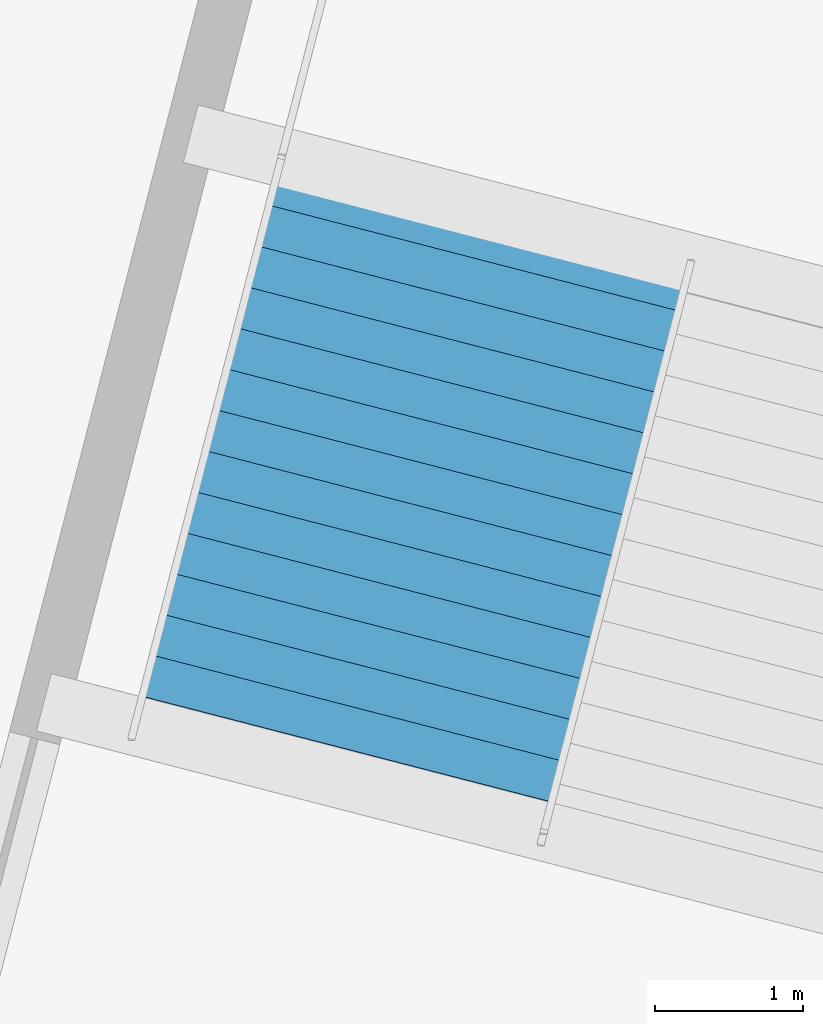
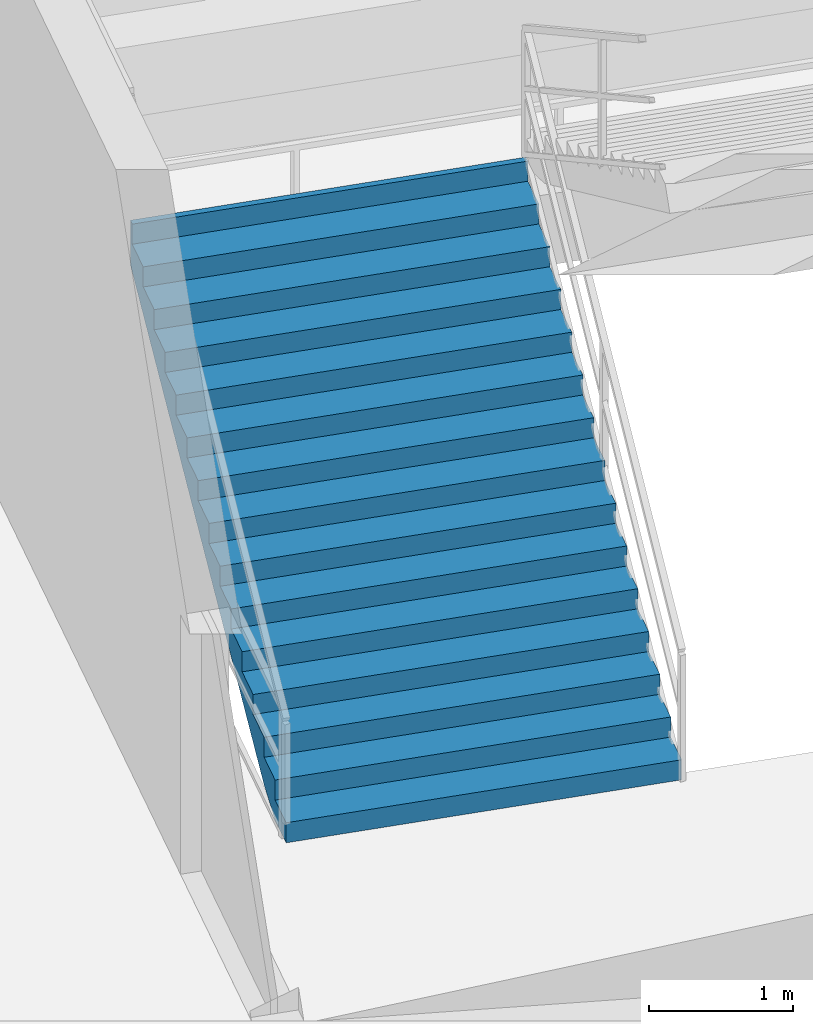
# One storey, part 163 of 184: 1 stair flight, 1 element without a shape of its own.
"""IFC4 building model written with IfcOpenShell, lengths in metres."""

import ifcopenshell
import ifcopenshell.guid

model = None  # the IFC model being written
_history = None  # IfcOwnerHistory: only IFC2X3 demands one
_inside = {}  # id of a spatial element -> (the spatial element, [elements in it])
_under = {}  # id of a project, library or spatial element -> (it, [spatial elements below it])
_declared = {}  # id of a project -> (the project, [libraries it declares])
_typed = {}  # id of a type object -> (the type object, [elements of that type])
_made_of = {}  # id of a material, layer set ... -> (it, [elements and type objects made of it])


def new_model(schema):
    """Start an empty IFC model of exactly this schema.

    Asked for "IFC4X3", IfcOpenShell would pick the latest addendum, in which some entities
    have other attributes; the version numbers below select the first issue.
    IFC2X3 requires an IfcOwnerHistory on every rooted entity: one is made here for all.
    """
    global model, _history
    if schema == "IFC4X3":
        model = ifcopenshell.file(schema_version=(4, 3, 0, 0))
    else:
        model = ifcopenshell.file(schema=schema)
    _inside.clear()
    _under.clear()
    _declared.clear()
    _typed.clear()
    _made_of.clear()
    _history = None
    if model.schema == "IFC2X3":
        org = make("IfcOrganization", Name="unknown")
        user = make(
            "IfcPersonAndOrganization",
            ThePerson=make("IfcPerson", FamilyName="unknown"),
            TheOrganization=org,
        )
        app = make(
            "IfcApplication",
            ApplicationDeveloper=org,
            Version="unknown",
            ApplicationFullName="unknown",
            ApplicationIdentifier="unknown",
        )
        _history = make(
            "IfcOwnerHistory",
            OwningUser=user,
            OwningApplication=app,
            ChangeAction="ADDED",
            CreationDate=0,
        )
    return model


def make(cls, **values):
    """One entity of the class cls with the attributes given. An attribute that is None is left unset."""
    return model.create_entity(
        cls, **{name: value for name, value in values.items() if value is not None}
    )


def rooted(cls, **values):
    """An entity with a GlobalId (a new one), such as an element, a storey or a relation."""
    return make(cls, GlobalId=ifcopenshell.guid.new(), OwnerHistory=_history, **values)


def si_unit(unit_type, name, prefix=None):
    """IfcSIUnit, for example si_unit("LENGTHUNIT", "METRE", prefix="MILLI")."""
    return make("IfcSIUnit", UnitType=unit_type, Prefix=prefix, Name=name)


def assignment(units):
    """IfcUnitAssignment: the units of a project."""
    return None if units is None else make("IfcUnitAssignment", Units=units)


def point(xyz):
    """IfcCartesianPoint."""
    return None if xyz is None else make("IfcCartesianPoint", Coordinates=xyz)


def direction(xyz):
    """IfcDirection."""
    return None if xyz is None else make("IfcDirection", DirectionRatios=xyz)


def frame(location, z_axis=None, x_axis=None):
    """IfcAxis2Placement3D, a coordinate frame: its origin and axes. An axis left out is left unset."""
    return make(
        "IfcAxis2Placement3D",
        Location=point(location),
        Axis=direction(z_axis),
        RefDirection=direction(x_axis),
    )


def origin():
    """The frame at (0, 0, 0) with its axes left unset."""
    return frame((0.0, 0.0, 0.0))


def place(relative_to, where):
    """IfcLocalPlacement: puts the frame where relative to a parent placement (None: the world)."""
    return make(
        "IfcLocalPlacement", PlacementRelTo=relative_to, RelativePlacement=where
    )


def context(
    kind, dimensions, precision=None, world=None, true_north=None, identifier=None
):
    """IfcGeometricRepresentationContext, for example the 3D "Model" context."""
    return make(
        "IfcGeometricRepresentationContext",
        ContextIdentifier=identifier,
        ContextType=kind,
        CoordinateSpaceDimension=dimensions,
        Precision=precision,
        WorldCoordinateSystem=world,
        TrueNorth=true_north,
    )


def subcontext(parent, identifier, kind, view, scale=None):
    """IfcGeometricRepresentationSubContext, for example "Body" below "Model"."""
    return make(
        "IfcGeometricRepresentationSubContext",
        ContextIdentifier=identifier,
        ContextType=kind,
        ParentContext=parent,
        TargetScale=scale,
        TargetView=view,
    )


def project(units=None, contexts=None):
    """IfcProject with its units and contexts."""
    return rooted(
        "IfcProject",
        Name="project",
        RepresentationContexts=contexts,
        UnitsInContext=assignment(units),
    )


def spatial(cls, under=None, at=None, **own):
    """A site, building, storey or space (cls), placed at a placement, below another one or the project."""
    s = rooted(cls, ObjectPlacement=at, **own)
    if under is not None:
        _under.setdefault(under.id(), (under, []))[1].append(s)
    return s


def point_list(points):
    """IfcCartesianPointList2D or 3D."""
    cls = (
        "IfcCartesianPointList2D" if len(points[0]) == 2 else "IfcCartesianPointList3D"
    )
    return make(cls, CoordList=points)


def polygons(points, faces, closed=None, point_numbers=None):
    """IfcPolygonalFaceSet: a face is its outer loop, then its inner loops; points numbered from 1."""
    made = []
    for loops in faces:
        if len(loops) == 1:
            made.append(make("IfcIndexedPolygonalFace", CoordIndex=loops[0]))
        else:
            made.append(
                make(
                    "IfcIndexedPolygonalFaceWithVoids",
                    CoordIndex=loops[0],
                    InnerCoordIndices=loops[1:],
                )
            )
    return make(
        "IfcPolygonalFaceSet",
        Coordinates=point_list(points),
        Closed=closed,
        Faces=made,
        PnIndex=point_numbers,
    )


def shape(context_of_items, identifier, shape_type, items):
    """IfcShapeRepresentation: the items that make up one representation, for example the "Body"."""
    return make(
        "IfcShapeRepresentation",
        ContextOfItems=context_of_items,
        RepresentationIdentifier=identifier,
        RepresentationType=shape_type,
        Items=items,
    )


def material(Name=None, Category=None):
    """IfcMaterial."""
    return make("IfcMaterial", Name=Name, Category=Category)


def made_of(thing, what):
    """Note that an element or type object is made of a material, layer set ...; save() writes the relation."""
    if what is not None:
        _made_of.setdefault(what.id(), (what, []))[1].append(thing)
    return thing


def type_object(cls, material=None, **own):
    """A type object (cls), such as IfcWallType, which elements share."""
    return made_of(rooted(cls, **own), material)


def element(
    cls,
    number,
    at=None,
    inside=None,
    cuts=None,
    type_object=None,
    material=None,
    context=None,
    identifier="Body",
    shape_type=None,
    held_by="IfcProductDefinitionShape",
    body=None,
    shapes=None,
    **own,
):
    """One element of the class cls, such as IfcWall. Its Tag is "e" and its number.

    at: its placement. inside: the storey or other place that contains it. cuts: it is an
    opening in that element (IfcRelVoidsElement). A single representation is given by context,
    identifier, shape_type and body (its items); several are given by shapes. held_by: the class
    of the entity that holds the representations. save() writes the other relations.
    """
    e = rooted(cls, Tag="e%d" % number, ObjectPlacement=at, **own)
    if body is not None:
        shapes = [shape(context, identifier, shape_type, body)]
    if shapes is not None:
        e.Representation = make(held_by, Representations=shapes)
    if inside is not None:
        _inside.setdefault(inside.id(), (inside, []))[1].append(e)
    if cuts is not None:
        rooted(
            "IfcRelVoidsElement", RelatingBuildingElement=cuts, RelatedOpeningElement=e
        )
    if type_object is not None:
        _typed.setdefault(type_object.id(), (type_object, []))[1].append(e)
    return made_of(e, material)


def aggregate(whole, parts):
    """IfcRelAggregates: a whole, such as a stair, and the parts it consists of."""
    return rooted("IfcRelAggregates", RelatingObject=whole, RelatedObjects=parts)


def save(model, path):
    """Write the relations noted so far, then the file.

    IfcRelAggregates (storeys below a building ...), IfcRelContainedInSpatialStructure (elements
    in a storey), IfcRelDefinesByType, IfcRelAssociatesMaterial and IfcRelDeclares: one each for
    every whole, place, type object, material and project.
    """
    for whole, parts in _under.values():
        aggregate(whole, parts)
    for where, things in _inside.values():
        rooted(
            "IfcRelContainedInSpatialStructure",
            RelatedElements=things,
            RelatingStructure=where,
        )
    for kind, things in _typed.values():
        rooted("IfcRelDefinesByType", RelatedObjects=things, RelatingType=kind)
    for what, things in _made_of.values():
        rooted("IfcRelAssociatesMaterial", RelatedObjects=things, RelatingMaterial=what)
    for by, libraries in _declared.values():
        rooted("IfcRelDeclares", RelatingContext=by, RelatedDefinitions=libraries)
    model.write(path)


model = new_model("IFC4")

# Units and contexts
model_context = context("Model", 3, precision=1e-05, world=origin(), true_north=direction((0.0, 1.0)))
body_context = subcontext(model_context, "Body", "Model", "MODEL_VIEW")
ifc_project = project(units=[si_unit("LENGTHUNIT", "METRE"), si_unit("AREAUNIT", "SQUARE_METRE"), si_unit("VOLUMEUNIT", "CUBIC_METRE"), si_unit("PLANEANGLEUNIT", "RADIAN"), si_unit("MASSUNIT", "GRAM", prefix="KILO")], contexts=[model_context])

# Site, building, storey
site_placement = place(None, origin())
site = spatial("IfcSite", under=ifc_project, at=site_placement, CompositionType="ELEMENT")
building_placement = place(site_placement, origin())
building = spatial("IfcBuilding", under=site, at=building_placement, Name="Kazemori Nagisa Stadium", CompositionType="ELEMENT")
storey_placement = place(building_placement, frame((0.0, 0.0, 10.5400390625)))
storey = spatial("IfcBuildingStorey", under=building, at=storey_placement, Name="L02", CompositionType="ELEMENT", Elevation=10.5400390625)

# Stair, stair flight
ifc_material = material(Name="Concrete C36/45 (Fc36)", Category="concrete")
stair_type = type_object("IfcStairType", Name="Stair_CORE_30", PredefinedType="TWO_STRAIGHT_RUN_STAIR", material=ifc_material)
stair_placement = place(storey_placement, origin())
stair = element("IfcStair", 1, at=stair_placement, inside=storey, type_object=stair_type, Name="Exit stair ST10 L02", PredefinedType="TWO_STRAIGHT_RUN_STAIR")
stair_flight_type = type_object("IfcStairFlightType", Name="Flight_CORE_15", PredefinedType="STRAIGHT", material=ifc_material)
stair_flight_placement = place(storey_placement, frame((205.068359375, 69.982666015625, 0.0), z_axis=(0.0, 0.0, 1.0), x_axis=(0.250000147402, 0.968245798493, 0.0)))
stair_flight = element("IfcStairFlight", 2, at=stair_flight_placement, type_object=stair_flight_type, Name="Exit stair ST10 L02 flight 1", NumberOfRisers=15, NumberOfTreads=14, PredefinedType="STRAIGHT", RiserHeight=0.17, TreadLength=0.285, context=body_context, shape_type="Tessellation", body=[
    polygons([(0.0, -1.425048828125, 0.0), (0.0, -1.425048828125, 0.169921875), (0.284912109375, -1.425048828125, 0.169921875), (0.284912109375, -1.425048828125, 0.340087890625), (0.570068359375, -1.425048828125, 0.340087890625), (0.570068359375, -1.425048828125, 0.510009765625), (0.85498046875, -1.425048828125, 0.510009765625), (0.85498046875, -1.425048828125, 0.679931640625), (1.139892578125, -1.425048828125, 0.679931640625), (1.139892578125, -1.425048828125, 0.85009765625), (1.425048828125, -1.425048828125, 0.85009765625), (1.425048828125, -1.425048828125, 1.02001953125), (1.7099609375, -1.425048828125, 1.02001953125), (1.7099609375, -1.425048828125, 1.18994140625), (1.9951171875, -1.425048828125, 1.18994140625), (1.9951171875, -1.425048828125, 1.360107421875), (2.280029296875, -1.425048828125, 1.360107421875), (2.280029296875, -1.425048828125, 1.530029296875), (2.56494140625, -1.425048828125, 1.530029296875), (2.56494140625, -1.425048828125, 1.699951171875), (2.85009765625, -1.425048828125, 1.699951171875), (2.85009765625, -1.425048828125, 1.8701171875), (3.135009765625, -1.425048828125, 1.8701171875), (3.135009765625, -1.425048828125, 2.0400390625), (3.419921875, -1.425048828125, 2.0400390625), (3.419921875, -1.425048828125, 2.2099609375), (3.705078125, -1.425048828125, 2.2099609375), (3.705078125, -1.425048828125, 2.3798828125), (3.989990234375, -1.425048828125, 2.3798828125), (3.989990234375, -1.425048828125, 2.550048828125), (4.0400390625, -1.425048828125, 2.550048828125), (4.0400390625, -1.425048828125, 2.177001953125), (3.989990234375, -1.425048828125, 2.147216796875), (3.705078125, -1.425048828125, 1.977294921875), (3.419921875, -1.425048828125, 1.80712890625), (3.135009765625, -1.425048828125, 1.63720703125), (2.85009765625, -1.425048828125, 1.46728515625), (2.56494140625, -1.425048828125, 1.297119140625), (2.280029296875, -1.425048828125, 1.127197265625), (1.9951171875, -1.425048828125, 0.957275390625), (1.7099609375, -1.425048828125, 0.787109375), (1.425048828125, -1.425048828125, 0.6171875), (1.139892578125, -1.425048828125, 0.447265625), (0.85498046875, -1.425048828125, 0.277099609375), (0.570068359375, -1.425048828125, 0.107177734375), (0.284912109375, -1.425048828125, 0.0), (0.0, -0.08544921875, 0.0), (0.0, -0.08544921875, 0.169921875), (0.284912109375, -0.08544921875, 0.169921875), (0.284912109375, -0.08544921875, 0.340087890625), (0.570068359375, -0.08544921875, 0.340087890625), (0.570068359375, -0.08544921875, 0.510009765625), (0.85498046875, -0.08544921875, 0.510009765625), (0.85498046875, -0.08544921875, 0.679931640625), (1.139892578125, -0.08544921875, 0.679931640625), (1.139892578125, -0.08544921875, 0.85009765625), (1.425048828125, -0.08544921875, 0.85009765625), (1.425048828125, -0.08544921875, 1.02001953125), (1.7099609375, -0.08544921875, 1.02001953125), (1.7099609375, -0.08544921875, 1.18994140625), (1.9951171875, -0.08544921875, 1.18994140625), (1.9951171875, -0.08544921875, 1.360107421875), (2.280029296875, -0.08544921875, 1.360107421875), (2.280029296875, -0.08544921875, 1.530029296875), (2.56494140625, -0.08544921875, 1.530029296875), (2.56494140625, -0.08544921875, 1.699951171875), (2.85009765625, -0.08544921875, 1.699951171875), (2.85009765625, -0.08544921875, 1.8701171875), (3.135009765625, -0.08544921875, 1.8701171875), (3.135009765625, -0.08544921875, 2.0400390625), (3.419921875, -0.08544921875, 2.0400390625), (3.419921875, -0.08544921875, 2.2099609375), (3.705078125, -0.08544921875, 2.2099609375), (3.705078125, -0.08544921875, 2.3798828125), (3.989990234375, -0.08544921875, 2.3798828125), (3.989990234375, -0.08544921875, 2.550048828125), (4.0400390625, -0.08544921875, 2.550048828125), (4.0400390625, -0.08544921875, 2.177001953125), (3.989990234375, -0.08544921875, 2.147216796875), (3.705078125, -0.08544921875, 1.977294921875), (3.419921875, -0.08544921875, 1.80712890625), (3.135009765625, -0.08544921875, 1.63720703125), (2.85009765625, -0.08544921875, 1.46728515625), (2.56494140625, -0.08544921875, 1.297119140625), (2.280029296875, -0.08544921875, 1.127197265625), (1.9951171875, -0.08544921875, 0.957275390625), (1.7099609375, -0.08544921875, 0.787109375), (1.425048828125, -0.08544921875, 0.6171875), (1.139892578125, -0.08544921875, 0.447265625), (0.85498046875, -0.08544921875, 0.277099609375), (0.570068359375, -0.08544921875, 0.107177734375), (0.284912109375, -0.08544921875, 0.0), (0.0, 0.0, 0.0), (0.0, 0.0, 0.169921875), (0.284912109375, 0.0, 0.169921875), (0.284912109375, 0.0, 0.340087890625), (0.570068359375, 0.0, 0.340087890625), (0.570068359375, 0.0, 0.510009765625), (0.85498046875, 0.0, 0.510009765625), (0.85498046875, 0.0, 0.679931640625), (1.139892578125, 0.0, 0.679931640625), (1.139892578125, 0.0, 0.85009765625), (1.425048828125, 0.0, 0.85009765625), (1.425048828125, 0.0, 1.02001953125), (1.7099609375, 0.0, 1.02001953125), (1.7099609375, 0.0, 1.18994140625), (1.9951171875, 0.0, 1.18994140625), (1.9951171875, 0.0, 1.360107421875), (2.280029296875, 0.0, 1.360107421875), (2.280029296875, 0.0, 1.530029296875), (2.56494140625, 0.0, 1.530029296875), (2.56494140625, 0.0, 1.699951171875), (2.85009765625, 0.0, 1.699951171875), (2.85009765625, 0.0, 1.8701171875), (3.135009765625, 0.0, 1.8701171875), (3.135009765625, 0.0, 2.0400390625), (3.419921875, 0.0, 2.0400390625), (3.419921875, 0.0, 2.2099609375), (3.705078125, 0.0, 2.2099609375), (3.705078125, 0.0, 2.3798828125), (3.989990234375, 0.0, 2.3798828125), (3.989990234375, 0.0, 2.550048828125), (4.0400390625, 0.0, 2.550048828125), (4.0400390625, 0.0, 2.177001953125), (3.989990234375, 0.0, 2.147216796875), (3.705078125, 0.0, 1.977294921875), (3.419921875, 0.0, 1.80712890625), (3.135009765625, 0.0, 1.63720703125), (2.85009765625, 0.0, 1.46728515625), (2.56494140625, 0.0, 1.297119140625), (2.280029296875, 0.0, 1.127197265625), (1.9951171875, 0.0, 0.957275390625), (1.7099609375, 0.0, 0.787109375), (1.425048828125, 0.0, 0.6171875), (1.139892578125, 0.0, 0.447265625), (0.85498046875, 0.0, 0.277099609375), (0.570068359375, 0.0, 0.107177734375), (0.284912109375, 0.0, 0.0), (0.0, 0.08544921875, 0.0), (0.0, 0.08544921875, 0.169921875), (0.284912109375, 0.08544921875, 0.169921875), (0.284912109375, 0.08544921875, 0.340087890625), (0.570068359375, 0.08544921875, 0.340087890625), (0.570068359375, 0.08544921875, 0.510009765625), (0.85498046875, 0.08544921875, 0.510009765625), (0.85498046875, 0.08544921875, 0.679931640625), (1.139892578125, 0.08544921875, 0.679931640625), (1.139892578125, 0.08544921875, 0.85009765625), (1.425048828125, 0.08544921875, 0.85009765625), (1.425048828125, 0.08544921875, 1.02001953125), (1.7099609375, 0.08544921875, 1.02001953125), (1.7099609375, 0.08544921875, 1.18994140625), (1.9951171875, 0.08544921875, 1.18994140625), (1.9951171875, 0.08544921875, 1.360107421875), (2.280029296875, 0.08544921875, 1.360107421875), (2.280029296875, 0.08544921875, 1.530029296875), (2.56494140625, 0.08544921875, 1.530029296875), (2.56494140625, 0.08544921875, 1.699951171875), (2.85009765625, 0.08544921875, 1.699951171875), (2.85009765625, 0.08544921875, 1.8701171875), (3.135009765625, 0.08544921875, 1.8701171875), (3.135009765625, 0.08544921875, 2.0400390625), (3.419921875, 0.08544921875, 2.0400390625), (3.419921875, 0.08544921875, 2.2099609375), (3.705078125, 0.08544921875, 2.2099609375), (3.705078125, 0.08544921875, 2.3798828125), (3.989990234375, 0.08544921875, 2.3798828125), (3.989990234375, 0.08544921875, 2.550048828125), (4.0400390625, 0.08544921875, 2.550048828125), (4.0400390625, 0.08544921875, 2.177001953125), (3.989990234375, 0.08544921875, 2.147216796875), (3.705078125, 0.08544921875, 1.977294921875), (3.419921875, 0.08544921875, 1.80712890625), (3.135009765625, 0.08544921875, 1.63720703125), (2.85009765625, 0.08544921875, 1.46728515625), (2.56494140625, 0.08544921875, 1.297119140625), (2.280029296875, 0.08544921875, 1.127197265625), (1.9951171875, 0.08544921875, 0.957275390625), (1.7099609375, 0.08544921875, 0.787109375), (1.425048828125, 0.08544921875, 0.6171875), (1.139892578125, 0.08544921875, 0.447265625), (0.85498046875, 0.08544921875, 0.277099609375), (0.570068359375, 0.08544921875, 0.107177734375), (0.284912109375, 0.08544921875, 0.0), (0.0, 1.425048828125, 0.0), (0.0, 1.425048828125, 0.169921875), (0.284912109375, 1.425048828125, 0.169921875), (0.284912109375, 1.425048828125, 0.340087890625), (0.570068359375, 1.425048828125, 0.340087890625), (0.570068359375, 1.425048828125, 0.510009765625), (0.85498046875, 1.425048828125, 0.510009765625), (0.85498046875, 1.425048828125, 0.679931640625), (1.139892578125, 1.425048828125, 0.679931640625), (1.139892578125, 1.425048828125, 0.85009765625), (1.425048828125, 1.425048828125, 0.85009765625), (1.425048828125, 1.425048828125, 1.02001953125), (1.7099609375, 1.425048828125, 1.02001953125), (1.7099609375, 1.425048828125, 1.18994140625), (1.9951171875, 1.425048828125, 1.18994140625), (1.9951171875, 1.425048828125, 1.360107421875), (2.280029296875, 1.425048828125, 1.360107421875), (2.280029296875, 1.425048828125, 1.530029296875), (2.56494140625, 1.425048828125, 1.530029296875), (2.56494140625, 1.425048828125, 1.699951171875), (2.85009765625, 1.425048828125, 1.699951171875), (2.85009765625, 1.425048828125, 1.8701171875), (3.135009765625, 1.425048828125, 1.8701171875), (3.135009765625, 1.425048828125, 2.0400390625), (3.419921875, 1.425048828125, 2.0400390625), (3.419921875, 1.425048828125, 2.2099609375), (3.705078125, 1.425048828125, 2.2099609375), (3.705078125, 1.425048828125, 2.3798828125), (3.989990234375, 1.425048828125, 2.3798828125), (3.989990234375, 1.425048828125, 2.550048828125), (4.0400390625, 1.425048828125, 2.550048828125), (4.0400390625, 1.425048828125, 2.177001953125), (3.989990234375, 1.425048828125, 2.147216796875), (3.705078125, 1.425048828125, 1.977294921875), (3.419921875, 1.425048828125, 1.80712890625), (3.135009765625, 1.425048828125, 1.63720703125), (2.85009765625, 1.425048828125, 1.46728515625), (2.56494140625, 1.425048828125, 1.297119140625), (2.280029296875, 1.425048828125, 1.127197265625), (1.9951171875, 1.425048828125, 0.957275390625), (1.7099609375, 1.425048828125, 0.787109375), (1.425048828125, 1.425048828125, 0.6171875), (1.139892578125, 1.425048828125, 0.447265625), (0.85498046875, 1.425048828125, 0.277099609375), (0.570068359375, 1.425048828125, 0.107177734375), (0.284912109375, 1.425048828125, 0.0)], [[[1, 2, 48]], [[1, 48, 47]], [[2, 3, 49]], [[2, 49, 48]], [[3, 4, 50]], [[3, 50, 49]], [[4, 5, 51]], [[4, 51, 50]], [[5, 6, 52]], [[5, 52, 51]], [[6, 7, 53]], [[6, 53, 52]], [[7, 8, 54]], [[7, 54, 53]], [[8, 9, 55]], [[8, 55, 54]], [[9, 10, 56]], [[9, 56, 55]], [[10, 11, 57]], [[10, 57, 56]], [[11, 12, 58]], [[11, 58, 57]], [[12, 13, 59]], [[12, 59, 58]], [[13, 14, 60]], [[13, 60, 59]], [[14, 15, 61]], [[14, 61, 60]], [[15, 16, 62]], [[15, 62, 61]], [[16, 17, 63]], [[16, 63, 62]], [[17, 18, 64]], [[17, 64, 63]], [[18, 19, 65]], [[18, 65, 64]], [[19, 20, 66]], [[19, 66, 65]], [[20, 21, 67]], [[20, 67, 66]], [[21, 22, 68]], [[21, 68, 67]], [[22, 23, 69]], [[22, 69, 68]], [[23, 24, 70]], [[23, 70, 69]], [[24, 25, 71]], [[24, 71, 70]], [[25, 26, 72]], [[25, 72, 71]], [[26, 27, 73]], [[26, 73, 72]], [[27, 28, 74]], [[27, 74, 73]], [[28, 29, 75]], [[28, 75, 74]], [[29, 30, 76]], [[29, 76, 75]], [[30, 31, 77]], [[30, 77, 76]], [[31, 32, 78]], [[31, 78, 77]], [[32, 33, 79]], [[32, 79, 78]], [[33, 34, 80]], [[33, 80, 79]], [[34, 35, 81]], [[34, 81, 80]], [[35, 36, 82]], [[35, 82, 81]], [[36, 37, 83]], [[36, 83, 82]], [[37, 38, 84]], [[37, 84, 83]], [[38, 39, 85]], [[38, 85, 84]], [[39, 40, 86]], [[39, 86, 85]], [[40, 41, 87]], [[40, 87, 86]], [[41, 42, 88]], [[41, 88, 87]], [[42, 43, 89]], [[42, 89, 88]], [[43, 44, 90]], [[43, 90, 89]], [[44, 45, 91]], [[44, 91, 90]], [[45, 46, 92]], [[45, 92, 91]], [[46, 1, 47]], [[46, 47, 92]], [[47, 48, 94]], [[47, 94, 93]], [[48, 49, 95]], [[48, 95, 94]], [[49, 50, 96]], [[49, 96, 95]], [[50, 51, 97]], [[50, 97, 96]], [[51, 52, 98]], [[51, 98, 97]], [[52, 53, 99]], [[52, 99, 98]], [[53, 54, 100]], [[53, 100, 99]], [[54, 55, 101]], [[54, 101, 100]], [[55, 56, 102]], [[55, 102, 101]], [[56, 57, 103]], [[56, 103, 102]], [[57, 58, 104]], [[57, 104, 103]], [[58, 59, 105]], [[58, 105, 104]], [[59, 60, 106]], [[59, 106, 105]], [[60, 61, 107]], [[60, 107, 106]], [[61, 62, 108]], [[61, 108, 107]], [[62, 63, 109]], [[62, 109, 108]], [[63, 64, 110]], [[63, 110, 109]], [[64, 65, 111]], [[64, 111, 110]], [[65, 66, 112]], [[65, 112, 111]], [[66, 67, 113]], [[66, 113, 112]], [[67, 68, 114]], [[67, 114, 113]], [[68, 69, 115]], [[68, 115, 114]], [[69, 70, 116]], [[69, 116, 115]], [[70, 71, 117]], [[70, 117, 116]], [[71, 72, 118]], [[71, 118, 117]], [[72, 73, 119]], [[72, 119, 118]], [[73, 74, 120]], [[73, 120, 119]], [[74, 75, 121]], [[74, 121, 120]], [[75, 76, 122]], [[75, 122, 121]], [[76, 77, 123]], [[76, 123, 122]], [[77, 78, 124]], [[77, 124, 123]], [[78, 79, 125]], [[78, 125, 124]], [[79, 80, 126]], [[79, 126, 125]], [[80, 81, 127]], [[80, 127, 126]], [[81, 82, 128]], [[81, 128, 127]], [[82, 83, 129]], [[82, 129, 128]], [[83, 84, 130]], [[83, 130, 129]], [[84, 85, 131]], [[84, 131, 130]], [[85, 86, 132]], [[85, 132, 131]], [[86, 87, 133]], [[86, 133, 132]], [[87, 88, 134]], [[87, 134, 133]], [[88, 89, 135]], [[88, 135, 134]], [[89, 90, 136]], [[89, 136, 135]], [[90, 91, 137]], [[90, 137, 136]], [[91, 92, 138]], [[91, 138, 137]], [[92, 47, 93]], [[92, 93, 138]], [[93, 94, 140]], [[93, 140, 139]], [[94, 95, 141]], [[94, 141, 140]], [[95, 96, 142]], [[95, 142, 141]], [[96, 97, 143]], [[96, 143, 142]], [[97, 98, 144]], [[97, 144, 143]], [[98, 99, 145]], [[98, 145, 144]], [[99, 100, 146]], [[99, 146, 145]], [[100, 101, 147]], [[100, 147, 146]], [[101, 102, 148]], [[101, 148, 147]], [[102, 103, 149]], [[102, 149, 148]], [[103, 104, 150]], [[103, 150, 149]], [[104, 105, 151]], [[104, 151, 150]], [[105, 106, 152]], [[105, 152, 151]], [[106, 107, 153]], [[106, 153, 152]], [[107, 108, 154]], [[107, 154, 153]], [[108, 109, 155]], [[108, 155, 154]], [[109, 110, 156]], [[109, 156, 155]], [[110, 111, 157]], [[110, 157, 156]], [[111, 112, 158]], [[111, 158, 157]], [[112, 113, 159]], [[112, 159, 158]], [[113, 114, 160]], [[113, 160, 159]], [[114, 115, 161]], [[114, 161, 160]], [[115, 116, 162]], [[115, 162, 161]], [[116, 117, 163]], [[116, 163, 162]], [[117, 118, 164]], [[117, 164, 163]], [[118, 119, 165]], [[118, 165, 164]], [[119, 120, 166]], [[119, 166, 165]], [[120, 121, 167]], [[120, 167, 166]], [[121, 122, 168]], [[121, 168, 167]], [[122, 123, 169]], [[122, 169, 168]], [[123, 124, 170]], [[123, 170, 169]], [[124, 125, 171]], [[124, 171, 170]], [[125, 126, 172]], [[125, 172, 171]], [[126, 127, 173]], [[126, 173, 172]], [[127, 128, 174]], [[127, 174, 173]], [[128, 129, 175]], [[128, 175, 174]], [[129, 130, 176]], [[129, 176, 175]], [[130, 131, 177]], [[130, 177, 176]], [[131, 132, 178]], [[131, 178, 177]], [[132, 133, 179]], [[132, 179, 178]], [[133, 134, 180]], [[133, 180, 179]], [[134, 135, 181]], [[134, 181, 180]], [[135, 136, 182]], [[135, 182, 181]], [[136, 137, 183]], [[136, 183, 182]], [[137, 138, 184]], [[137, 184, 183]], [[138, 93, 139]], [[138, 139, 184]], [[139, 140, 186]], [[139, 186, 185]], [[140, 141, 187]], [[140, 187, 186]], [[141, 142, 188]], [[141, 188, 187]], [[142, 143, 189]], [[142, 189, 188]], [[143, 144, 190]], [[143, 190, 189]], [[144, 145, 191]], [[144, 191, 190]], [[145, 146, 192]], [[145, 192, 191]], [[146, 147, 193]], [[146, 193, 192]], [[147, 148, 194]], [[147, 194, 193]], [[148, 149, 195]], [[148, 195, 194]], [[149, 150, 196]], [[149, 196, 195]], [[150, 151, 197]], [[150, 197, 196]], [[151, 152, 198]], [[151, 198, 197]], [[152, 153, 199]], [[152, 199, 198]], [[153, 154, 200]], [[153, 200, 199]], [[154, 155, 201]], [[154, 201, 200]], [[155, 156, 202]], [[155, 202, 201]], [[156, 157, 203]], [[156, 203, 202]], [[157, 158, 204]], [[157, 204, 203]], [[158, 159, 205]], [[158, 205, 204]], [[159, 160, 206]], [[159, 206, 205]], [[160, 161, 207]], [[160, 207, 206]], [[161, 162, 208]], [[161, 208, 207]], [[162, 163, 209]], [[162, 209, 208]], [[163, 164, 210]], [[163, 210, 209]], [[164, 165, 211]], [[164, 211, 210]], [[165, 166, 212]], [[165, 212, 211]], [[166, 167, 213]], [[166, 213, 212]], [[167, 168, 214]], [[167, 214, 213]], [[168, 169, 215]], [[168, 215, 214]], [[169, 170, 216]], [[169, 216, 215]], [[170, 171, 217]], [[170, 217, 216]], [[171, 172, 218]], [[171, 218, 217]], [[172, 173, 219]], [[172, 219, 218]], [[173, 174, 220]], [[173, 220, 219]], [[174, 175, 221]], [[174, 221, 220]], [[175, 176, 222]], [[175, 222, 221]], [[176, 177, 223]], [[176, 223, 222]], [[177, 178, 224]], [[177, 224, 223]], [[178, 179, 225]], [[178, 225, 224]], [[179, 180, 226]], [[179, 226, 225]], [[180, 181, 227]], [[180, 227, 226]], [[181, 182, 228]], [[181, 228, 227]], [[182, 183, 229]], [[182, 229, 228]], [[183, 184, 230]], [[183, 230, 229]], [[184, 139, 185]], [[184, 185, 230]], [[3, 2, 1]], [[185, 186, 187]], [[46, 3, 1]], [[185, 187, 230]], [[45, 3, 46]], [[230, 187, 229]], [[5, 3, 45]], [[229, 187, 189]], [[5, 4, 3]], [[187, 188, 189]], [[44, 5, 45]], [[229, 189, 228]], [[7, 5, 44]], [[228, 189, 191]], [[7, 6, 5]], [[189, 190, 191]], [[43, 7, 44]], [[228, 191, 227]], [[9, 7, 43]], [[227, 191, 193]], [[9, 8, 7]], [[191, 192, 193]], [[42, 9, 43]], [[227, 193, 226]], [[11, 9, 42]], [[226, 193, 195]], [[11, 10, 9]], [[193, 194, 195]], [[41, 11, 42]], [[226, 195, 225]], [[13, 11, 41]], [[225, 195, 197]], [[13, 12, 11]], [[195, 196, 197]], [[40, 13, 41]], [[225, 197, 224]], [[15, 13, 40]], [[224, 197, 199]], [[15, 14, 13]], [[197, 198, 199]], [[39, 15, 40]], [[224, 199, 223]], [[17, 15, 39]], [[223, 199, 201]], [[17, 16, 15]], [[199, 200, 201]], [[38, 17, 39]], [[223, 201, 222]], [[19, 17, 38]], [[222, 201, 203]], [[19, 18, 17]], [[201, 202, 203]], [[37, 19, 38]], [[222, 203, 221]], [[21, 19, 37]], [[221, 203, 205]], [[21, 20, 19]], [[203, 204, 205]], [[36, 21, 37]], [[221, 205, 220]], [[23, 21, 36]], [[220, 205, 207]], [[23, 22, 21]], [[205, 206, 207]], [[35, 23, 36]], [[220, 207, 219]], [[25, 23, 35]], [[219, 207, 209]], [[25, 24, 23]], [[207, 208, 209]], [[34, 25, 35]], [[219, 209, 218]], [[27, 25, 34]], [[218, 209, 211]], [[27, 26, 25]], [[209, 210, 211]], [[33, 27, 34]], [[218, 211, 217]], [[29, 27, 33]], [[217, 211, 213]], [[29, 28, 27]], [[211, 212, 213]], [[32, 29, 33]], [[217, 213, 216]], [[31, 29, 32]], [[216, 213, 215]], [[31, 30, 29]], [[213, 214, 215]]], closed=True),
])
aggregate(stair, [stair_flight])

save(model, "model.ifc")
